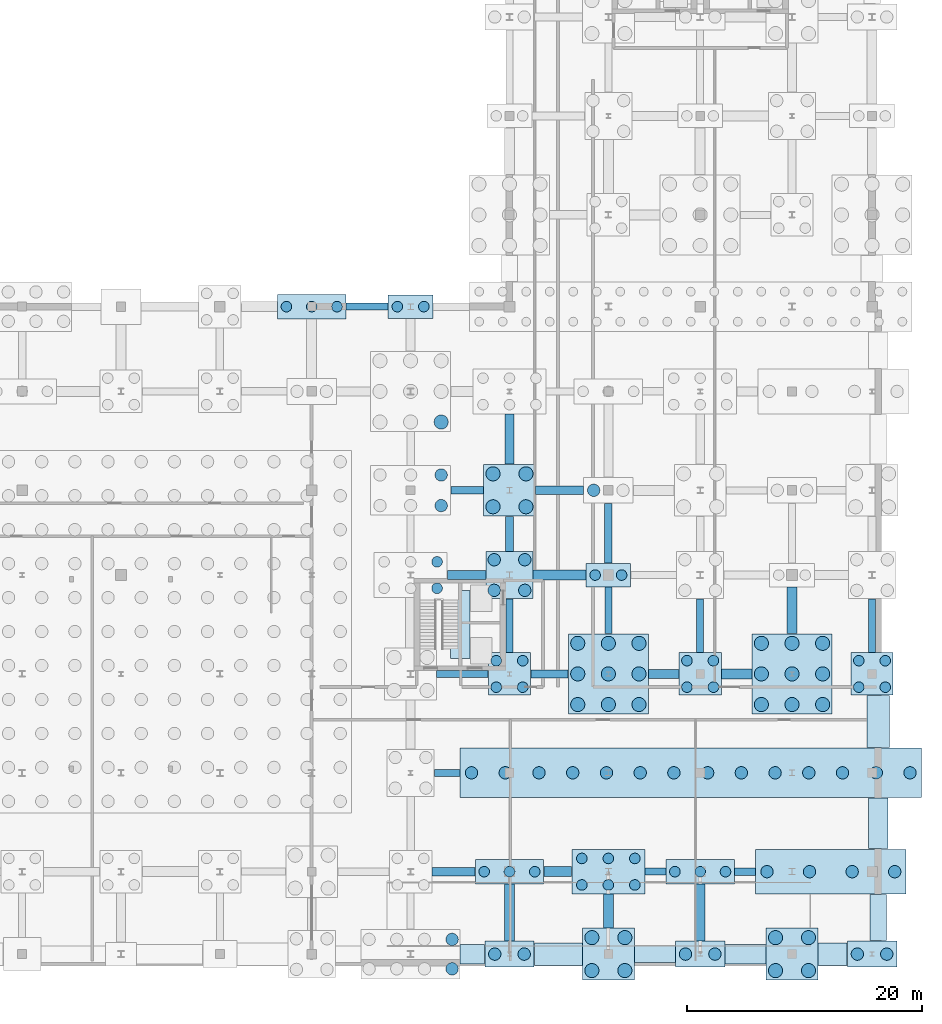
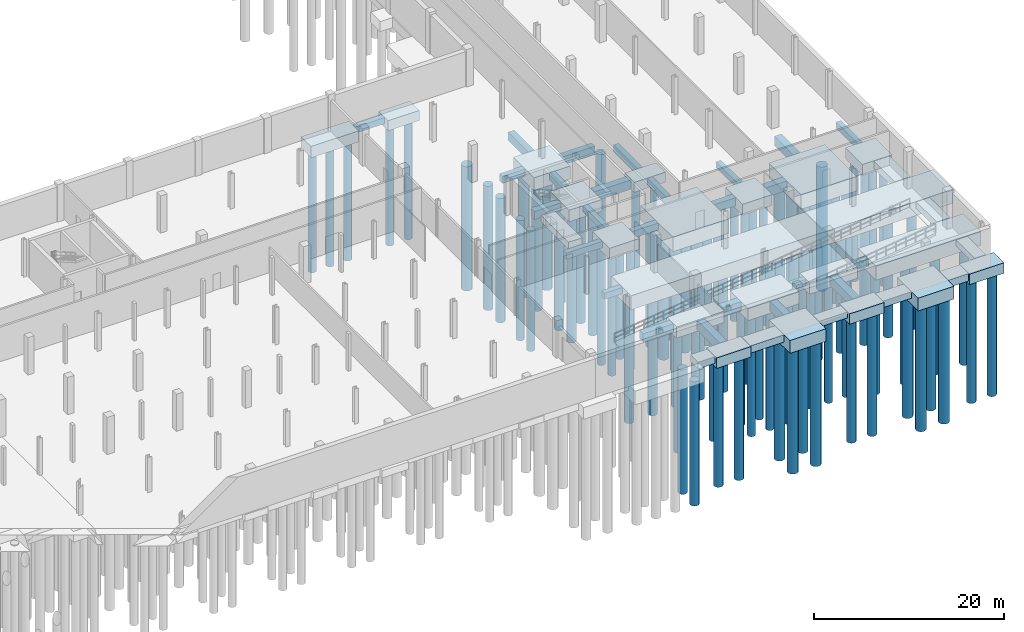
# One storey, part 6 of 32: 97 piles, 54 footings.
"""IFC4 building model written with IfcOpenShell, lengths in metres."""

from ifc_helpers import new_model, si_unit, direction, frame, origin_with_axes, origin_2d_with_axis, place, context, subcontext, project, spatial, rectangle, circle, extrude, material, material_profile, profile_set, type_object, element, save


model = new_model("IFC4")

# Units and contexts
model_context = context("Model", 3, precision=1e-05, world=origin_with_axes(), true_north=direction((0.0, 1.0)))
body_context = subcontext(model_context, "Body", "Model", "MODEL_VIEW")
ifc_project = project(units=[si_unit("LENGTHUNIT", "METRE"), si_unit("AREAUNIT", "SQUARE_METRE"), si_unit("VOLUMEUNIT", "CUBIC_METRE"), si_unit("PLANEANGLEUNIT", "RADIAN"), si_unit("MASSUNIT", "GRAM", prefix="KILO"), si_unit("THERMODYNAMICTEMPERATUREUNIT", "KELVIN")], contexts=[model_context])

# Site, building, storey
site_placement = place(None, origin_with_axes())
site = spatial("IfcSite", under=ifc_project, at=site_placement, CompositionType="ELEMENT")
building_placement = place(site_placement, origin_with_axes())
building = spatial("IfcBuilding", under=site, at=building_placement, Name="Montbau Bow Law Courts", CompositionType="ELEMENT")
storey_placement = place(building_placement, frame((0.0, 0.0, -4.8), z_axis=(0.0, 0.0, 1.0), x_axis=(1.0, 0.0, 0.0)))
storey = spatial("IfcBuildingStorey", under=building, at=storey_placement, Name="B1", CompositionType="ELEMENT", Elevation=-4.8)

# Footings
ifc_material_1 = material(Name="Concrete CSA A23.1 f'c 35 MPa", Category="concrete")
footing_type_1 = type_object("IfcFootingType", Name="FB-01", PredefinedType="FOOTING_BEAM", material=ifc_material_1)
footing_1_placement = place(None, frame((158.6, 13.8, -6.25), z_axis=(0.0, 0.0, 1.0), x_axis=(1.0, 0.0, 0.0)))
element("IfcFooting", 1, at=footing_1_placement, inside=storey, type_object=footing_type_1, Name="FB-017:fbm2_0035", PredefinedType="FOOTING_BEAM", context=body_context, shape_type="SweptSolid", body=[
    extrude(rectangle(XDim=1.77, YDim=0.65, at=origin_2d_with_axis()), origin_with_axes(), (0.0, 0.0, 1.0), 0.9),
])
footing_2_placement = place(None, frame((142.0, 30.6, -6.25), z_axis=(0.0, 0.0, 1.0), x_axis=(1.0, 0.0, 0.0)))
element("IfcFooting", 2, at=footing_2_placement, inside=storey, type_object=footing_type_1, Name="FB-025:fbm2_0043", PredefinedType="FOOTING_BEAM", context=body_context, shape_type="SweptSolid", body=[
    extrude(rectangle(XDim=3.17, YDim=0.65, at=origin_2d_with_axis()), origin_with_axes(), (0.0, 0.0, 1.0), 0.9),
])
footing_3_placement = place(None, frame((135.0, 46.2, -6.25), z_axis=(0.0, 0.0, 1.0), x_axis=(1.0, 0.0, 0.0)))
element("IfcFooting", 3, at=footing_3_placement, inside=storey, type_object=footing_type_1, Name="FB-037:fbm2_0055", PredefinedType="FOOTING_BEAM", context=body_context, shape_type="SweptSolid", body=[
    extrude(rectangle(XDim=2.77, YDim=0.65, at=origin_2d_with_axis()), origin_with_axes(), (0.0, 0.0, 1.0), 0.9),
])
footing_4_placement = place(None, frame((138.6, 42.5, -6.25), z_axis=(0.0, 0.0, 1.0), x_axis=(0.0, 1.0, 0.0)))
element("IfcFooting", 4, at=footing_4_placement, inside=storey, type_object=footing_type_1, Name="FB-141:fbm2_0159", PredefinedType="FOOTING_BEAM", context=body_context, shape_type="SweptSolid", body=[
    extrude(rectangle(XDim=2.97, YDim=0.65, at=origin_2d_with_axis()), origin_with_axes(), (0.0, 0.0, 1.0), 0.9),
])
footing_5_placement = place(None, frame((147.0, 42.55, -6.25), z_axis=(0.0, 0.0, 1.0), x_axis=(0.0, 1.0, 0.0)))
element("IfcFooting", 5, at=footing_5_placement, inside=storey, type_object=footing_type_1, Name="FB-149:fbm2_0167", PredefinedType="FOOTING_BEAM", context=body_context, shape_type="SweptSolid", body=[
    extrude(rectangle(XDim=5.07, YDim=0.65, at=origin_2d_with_axis()), origin_with_axes(), (0.0, 0.0, 1.0), 0.9),
])
footing_type_2 = type_object("IfcFootingType", Name="FB-02", PredefinedType="FOOTING_BEAM", material=ifc_material_1)
footing_6_placement = place(None, frame((133.85, 13.8, -6.4), z_axis=(0.0, 0.0, 1.0), x_axis=(1.0, 0.0, 0.0)))
element("IfcFooting", 6, at=footing_6_placement, inside=storey, type_object=footing_type_2, Name="FB-014:fbm2_0032", PredefinedType="FOOTING_BEAM", context=body_context, shape_type="SweptSolid", body=[
    extrude(rectangle(XDim=3.67, YDim=0.75, at=origin_2d_with_axis()), origin_with_axes(), (0.0, 0.0, 1.0), 1.05),
])
footing_7_placement = place(None, frame((151.7, 30.6, -6.4), z_axis=(0.0, 0.0, 1.0), x_axis=(1.0, 0.0, 0.0)))
element("IfcFooting", 7, at=footing_7_placement, inside=storey, type_object=footing_type_2, Name="FB-026:fbm2_0044", PredefinedType="FOOTING_BEAM", context=body_context, shape_type="SweptSolid", body=[
    extrude(rectangle(XDim=2.57, YDim=0.75, at=origin_2d_with_axis()), origin_with_axes(), (0.0, 0.0, 1.0), 1.05),
])
footing_8_placement = place(None, frame((134.95, 39.0, -6.4), z_axis=(0.0, 0.0, 1.0), x_axis=(1.0, 0.0, 0.0)))
element("IfcFooting", 8, at=footing_8_placement, inside=storey, type_object=footing_type_2, Name="FB-030:fbm2_0048", PredefinedType="FOOTING_BEAM", context=body_context, shape_type="SweptSolid", body=[
    extrude(rectangle(XDim=3.27, YDim=0.75, at=origin_2d_with_axis()), origin_with_axes(), (0.0, 0.0, 1.0), 1.05),
])
footing_9_placement = place(None, frame((142.85, 46.2, -6.4), z_axis=(0.0, 0.0, 1.0), x_axis=(1.0, 0.0, 0.0)))
element("IfcFooting", 9, at=footing_9_placement, inside=storey, type_object=footing_type_2, Name="FB-038:fbm2_0056", PredefinedType="FOOTING_BEAM", context=body_context, shape_type="SweptSolid", body=[
    extrude(rectangle(XDim=4.07, YDim=0.75, at=origin_2d_with_axis()), origin_with_axes(), (0.0, 0.0, 1.0), 1.05),
])
footing_10_placement = place(None, frame((138.6, 50.55, -6.4), z_axis=(0.0, 0.0, 1.0), x_axis=(0.0, 1.0, 0.0)))
element("IfcFooting", 10, at=footing_10_placement, inside=storey, type_object=footing_type_2, Name="FB-142:fbm2_0160", PredefinedType="FOOTING_BEAM", context=body_context, shape_type="SweptSolid", body=[
    extrude(rectangle(XDim=4.27, YDim=0.75, at=origin_2d_with_axis()), origin_with_axes(), (0.0, 0.0, 1.0), 1.05),
])
footing_type_3 = type_object("IfcFootingType", Name="FB-03", PredefinedType="FOOTING_BEAM", material=ifc_material_1)
footing_11_placement = place(None, frame((142.7, 13.8, -6.55), z_axis=(0.0, 0.0, 1.0), x_axis=(1.0, 0.0, 0.0)))
element("IfcFooting", 11, at=footing_11_placement, inside=storey, type_object=footing_type_3, Name="FB-015:fbm2_0033", PredefinedType="FOOTING_BEAM", context=body_context, shape_type="SweptSolid", body=[
    extrude(rectangle(XDim=2.37, YDim=0.85, at=origin_2d_with_axis()), origin_with_axes(), (0.0, 0.0, 1.0), 1.2),
])
footing_12_placement = place(None, frame((157.9, 30.6, -6.55), z_axis=(0.0, 0.0, 1.0), x_axis=(1.0, 0.0, 0.0)))
element("IfcFooting", 12, at=footing_12_placement, inside=storey, type_object=footing_type_3, Name="FB-027:fbm2_0045", PredefinedType="FOOTING_BEAM", context=body_context, shape_type="SweptSolid", body=[
    extrude(rectangle(XDim=2.57, YDim=0.85, at=origin_2d_with_axis()), origin_with_axes(), (0.0, 0.0, 1.0), 1.2),
])
footing_13_placement = place(None, frame((142.85, 39.0, -6.55), z_axis=(0.0, 0.0, 1.0), x_axis=(1.0, 0.0, 0.0)))
element("IfcFooting", 13, at=footing_13_placement, inside=storey, type_object=footing_type_3, Name="FB-031:fbm2_0049", PredefinedType="FOOTING_BEAM", context=body_context, shape_type="SweptSolid", body=[
    extrude(rectangle(XDim=4.47, YDim=0.85, at=origin_2d_with_axis()), origin_with_axes(), (0.0, 0.0, 1.0), 1.2),
])
footing_14_placement = place(None, frame((138.6, 10.325, -6.55), z_axis=(0.0, 0.0, 1.0), x_axis=(0.0, 1.0, 0.0)))
element("IfcFooting", 14, at=footing_14_placement, inside=storey, type_object=footing_type_3, Name="FB-139:fbm2_0157", PredefinedType="FOOTING_BEAM", context=body_context, shape_type="SweptSolid", body=[
    extrude(rectangle(XDim=4.82, YDim=0.85, at=origin_2d_with_axis()), origin_with_axes(), (0.0, 0.0, 1.0), 1.2),
])
footing_15_placement = place(None, frame((147.0, 10.45, -6.55), z_axis=(0.0, 0.0, 1.0), x_axis=(0.0, 1.0, 0.0)))
element("IfcFooting", 15, at=footing_15_placement, inside=storey, type_object=footing_type_3, Name="FB-147:fbm2_0165", PredefinedType="FOOTING_BEAM", context=body_context, shape_type="SweptSolid", body=[
    extrude(rectangle(XDim=2.87, YDim=0.85, at=origin_2d_with_axis()), origin_with_axes(), (0.0, 0.0, 1.0), 1.2),
])
footing_16_placement = place(None, frame((154.8, 10.325, -6.55), z_axis=(0.0, 0.0, 1.0), x_axis=(0.0, 1.0, 0.0)))
element("IfcFooting", 16, at=footing_16_placement, inside=storey, type_object=footing_type_3, Name="FB-155:fbm2_0173", PredefinedType="FOOTING_BEAM", context=body_context, shape_type="SweptSolid", body=[
    extrude(rectangle(XDim=4.82, YDim=0.85, at=origin_2d_with_axis()), origin_with_axes(), (0.0, 0.0, 1.0), 1.2),
])
footing_17_placement = place(None, frame((162.6, 36.0, -6.55), z_axis=(0.0, 0.0, 1.0), x_axis=(0.0, 1.0, 0.0)))
element("IfcFooting", 17, at=footing_17_placement, inside=storey, type_object=footing_type_3, Name="FB-163:fbm2_0181", PredefinedType="FOOTING_BEAM", context=body_context, shape_type="SweptSolid", body=[
    extrude(rectangle(XDim=3.97, YDim=0.85, at=origin_2d_with_axis()), origin_with_axes(), (0.0, 0.0, 1.0), 1.2),
])
footing_type_4 = type_object("IfcFootingType", Name="FB-04", PredefinedType="FOOTING_BEAM", material=ifc_material_1)
footing_18_placement = place(None, frame((151.0, 13.8, -6.15), z_axis=(0.0, 0.0, 1.0), x_axis=(1.0, 0.0, 0.0)))
element("IfcFooting", 18, at=footing_18_placement, inside=storey, type_object=footing_type_4, Name="FB-016:fbm2_0034", PredefinedType="FOOTING_BEAM", context=body_context, shape_type="SweptSolid", body=[
    extrude(rectangle(XDim=1.77, YDim=0.6, at=origin_2d_with_axis()), origin_with_axes(), (0.0, 0.0, 1.0), 0.8),
])
footing_19_placement = place(None, frame((133.3, 22.2, -6.15), z_axis=(0.0, 0.0, 1.0), x_axis=(1.0, 0.0, 0.0)))
element("IfcFooting", 19, at=footing_19_placement, inside=storey, type_object=footing_type_4, Name="FB-020:fbm2_0038", PredefinedType="FOOTING_BEAM", context=body_context, shape_type="SweptSolid", body=[
    extrude(rectangle(XDim=2.17, YDim=0.6, at=origin_2d_with_axis()), origin_with_axes(), (0.0, 0.0, 1.0), 0.8),
])
footing_20_placement = place(None, frame((134.6, 30.6, -6.15), z_axis=(0.0, 0.0, 1.0), x_axis=(1.0, 0.0, 0.0)))
element("IfcFooting", 20, at=footing_20_placement, inside=storey, type_object=footing_type_4, Name="FB-024:fbm2_0042", PredefinedType="FOOTING_BEAM", context=body_context, shape_type="SweptSolid", body=[
    extrude(rectangle(XDim=4.37, YDim=0.6, at=origin_2d_with_axis()), origin_with_axes(), (0.0, 0.0, 1.0), 0.8),
])
footing_21_placement = place(None, frame((126.5, 61.8, -6.15), z_axis=(0.0, 0.0, 1.0), x_axis=(1.0, 0.0, 0.0)))
element("IfcFooting", 21, at=footing_21_placement, inside=storey, type_object=footing_type_4, Name="FB-072:fbm2_0090", PredefinedType="FOOTING_BEAM", context=body_context, shape_type="SweptSolid", body=[
    extrude(rectangle(XDim=3.57, YDim=0.6, at=origin_2d_with_axis()), origin_with_axes(), (0.0, 0.0, 1.0), 0.8),
])
footing_22_placement = place(None, frame((138.6, 34.7, -6.15), z_axis=(0.0, 0.0, 1.0), x_axis=(0.0, 1.0, 0.0)))
element("IfcFooting", 22, at=footing_22_placement, inside=storey, type_object=footing_type_4, Name="FB-140:fbm2_0158", PredefinedType="FOOTING_BEAM", context=body_context, shape_type="SweptSolid", body=[
    extrude(rectangle(XDim=4.57, YDim=0.6, at=origin_2d_with_axis()), origin_with_axes(), (0.0, 0.0, 1.0), 0.8),
])
footing_23_placement = place(None, frame((147.0, 36.0, -6.15), z_axis=(0.0, 0.0, 1.0), x_axis=(0.0, 1.0, 0.0)))
element("IfcFooting", 23, at=footing_23_placement, inside=storey, type_object=footing_type_4, Name="FB-148:fbm2_0166", PredefinedType="FOOTING_BEAM", context=body_context, shape_type="SweptSolid", body=[
    extrude(rectangle(XDim=3.97, YDim=0.6, at=origin_2d_with_axis()), origin_with_axes(), (0.0, 0.0, 1.0), 0.8),
])
for number, where, z_axis, x_axis, name in (
    (24, (154.8, 34.7, -6.15), (0.0, 0.0, 1.0), (0.0, 1.0, 0.0), "FB-156:fbm2_0174"),
    (25, (169.4, 34.7, -6.15), (0.0, 0.0, 1.0), (0.0, 1.0, 0.0), "FB-168:fbm2_0186"),
):
    element("IfcFooting", number, at=place(None, frame(where, z_axis=z_axis, x_axis=x_axis)), inside=storey, type_object=footing_type_4, Name=name, PredefinedType="FOOTING_BEAM", context=body_context, shape_type="SweptSolid", body=[
        extrude(rectangle(XDim=4.57, YDim=0.6, at=origin_2d_with_axis()), origin_with_axes(), (0.0, 0.0, 1.0), 0.8),
    ])
footing_type_5 = type_object("IfcFootingType", Name="FC-01", PredefinedType="PILE_CAP", material=ifc_material_1)
for number, where, z_axis, x_axis, name in (
    (26, (138.6, 30.6, -6.75), (0.0, 0.0, 1.0), (1.0, 0.0, 0.0), "FCA-059:ftg2_0059"),
    (27, (154.8, 30.6, -6.75), (0.0, 0.0, 1.0), (1.0, 0.0, 0.0), "FCA-085:ftg2_0085"),
    (28, (169.4, 30.6, -6.75), (0.0, 0.0, 1.0), (1.0, 0.0, 0.0), "FCA-108:ftg2_0108"),
):
    element("IfcFooting", number, at=place(None, frame(where, z_axis=z_axis, x_axis=x_axis)), inside=storey, type_object=footing_type_5, Name=name, PredefinedType="PILE_CAP", context=body_context, shape_type="SweptSolid", body=[
        extrude(rectangle(XDim=3.6, YDim=3.6, at=origin_2d_with_axis()), origin_with_axes(), (0.0, 0.0, 1.0), 1.4),
    ])
footing_type_6 = type_object("IfcFootingType", Name="FC-02", PredefinedType="PILE_CAP", material=ifc_material_1)
footing_24_placement = place(None, frame((138.6, 39.0, -6.85), z_axis=(0.0, 0.0, 1.0), x_axis=(1.0, 0.0, 0.0)))
element("IfcFooting", 29, at=footing_24_placement, inside=storey, type_object=footing_type_6, Name="FCA-060:ftg2_0060", PredefinedType="PILE_CAP", context=body_context, shape_type="SweptSolid", body=[
    extrude(rectangle(XDim=4.0, YDim=4.0, at=origin_2d_with_axis()), origin_with_axes(), (0.0, 0.0, 1.0), 1.5),
])
footing_type_7 = type_object("IfcFootingType", Name="FC-03", PredefinedType="PILE_CAP", material=ifc_material_1)
for number, where, z_axis, x_axis, name in (
    (30, (138.6, 46.2, -7.0), (0.0, 0.0, 1.0), (1.0, 0.0, 0.0), "FCA-061:ftg2_0061"),
    (31, (147.0, 6.8, -7.0), (0.0, 0.0, 1.0), (1.0, 0.0, 0.0), "FCA-071:ftg2_0071"),
    (32, (162.6, 6.8, -7.0), (0.0, 0.0, 1.0), (1.0, 0.0, 0.0), "FCA-095:ftg2_0095"),
):
    element("IfcFooting", number, at=place(None, frame(where, z_axis=z_axis, x_axis=x_axis)), inside=storey, type_object=footing_type_7, Name=name, PredefinedType="PILE_CAP", context=body_context, shape_type="SweptSolid", body=[
        extrude(rectangle(XDim=4.4, YDim=4.4, at=origin_2d_with_axis()), origin_with_axes(), (0.0, 0.0, 1.0), 1.65),
    ])
footing_type_8 = type_object("IfcFootingType", Name="FC-04", PredefinedType="PILE_CAP", material=ifc_material_1)
footing_25_placement = place(None, frame((147.0, 13.8, -6.9), z_axis=(0.0, 0.0, 1.0), x_axis=(1.0, 0.0, 0.0)))
element("IfcFooting", 33, at=footing_25_placement, inside=storey, type_object=footing_type_8, Name="FCA-072:ftg2_0072", PredefinedType="PILE_CAP", context=body_context, shape_type="SweptSolid", body=[
    extrude(rectangle(XDim=6.2, YDim=3.8, at=origin_2d_with_axis()), origin_with_axes(), (0.0, 0.0, 1.0), 1.55),
])
footing_type_9 = type_object("IfcFootingType", Name="FC-06", PredefinedType="PILE_CAP", material=ifc_material_1)
for number, where, z_axis, x_axis, name in (
    (34, (147.0, 30.6, -7.2), (0.0, 0.0, 1.0), (1.0, 0.0, 0.0), "FCA-073:ftg2_0073"),
    (35, (162.6, 30.6, -7.2), (0.0, 0.0, 1.0), (1.0, 0.0, 0.0), "FCA-097:ftg2_0097"),
):
    element("IfcFooting", number, at=place(None, frame(where, z_axis=z_axis, x_axis=x_axis)), inside=storey, type_object=footing_type_9, Name=name, PredefinedType="PILE_CAP", context=body_context, shape_type="SweptSolid", body=[
        extrude(rectangle(XDim=6.8, YDim=6.8, at=origin_2d_with_axis()), origin_with_axes(), (0.0, 0.0, 1.0), 1.85),
    ])
footing_type_10 = type_object("IfcFootingType", Name="FC-07", PredefinedType="PILE_CAP", material=ifc_material_1)
for number, where, z_axis, x_axis, name in (
    (36, (130.2, 61.8, -6.65), (0.0, 0.0, 1.0), (1.0, 0.0, 0.0), "FCA-055:ftg2_0055"),
    (37, (147.0, 39.0, -6.65), (0.0, 0.0, 1.0), (1.0, 0.0, 0.0), "FCA-074:ftg2_0074"),
):
    element("IfcFooting", number, at=place(None, frame(where, z_axis=z_axis, x_axis=x_axis)), inside=storey, type_object=footing_type_10, Name=name, PredefinedType="PILE_CAP", context=body_context, shape_type="SweptSolid", body=[
        extrude(rectangle(XDim=3.8, YDim=2.0, at=origin_2d_with_axis()), origin_with_axes(), (0.0, 0.0, 1.0), 1.3),
    ])
footing_type_11 = type_object("IfcFootingType", Name="FC-08", PredefinedType="PILE_CAP", material=ifc_material_1)
for number, where, z_axis, x_axis, name in (
    (38, (138.6, 6.8, -6.7), (0.0, 0.0, 1.0), (1.0, 0.0, 0.0), "FCA-056:ftg2_0056"),
    (39, (154.8, 6.8, -6.7), (0.0, 0.0, 1.0), (1.0, 0.0, 0.0), "FCA-083:ftg2_0083"),
    (40, (169.4, 6.8, -6.7), (0.0, 0.0, 1.0), (1.0, 0.0, 0.0), "FCA-107:ftg2_0107"),
):
    element("IfcFooting", number, at=place(None, frame(where, z_axis=z_axis, x_axis=x_axis)), inside=storey, type_object=footing_type_11, Name=name, PredefinedType="PILE_CAP", context=body_context, shape_type="SweptSolid", body=[
        extrude(rectangle(XDim=4.2, YDim=2.2, at=origin_2d_with_axis()), origin_with_axes(), (0.0, 0.0, 1.0), 1.35),
    ])
footing_type_12 = type_object("IfcFootingType", Name="FC-09", PredefinedType="PILE_CAP", material=ifc_material_1)
for number, where, z_axis, x_axis, name in (
    (41, (121.8, 61.8, -6.8), (0.0, 0.0, 1.0), (1.0, 0.0, 0.0), "FCA-047:ftg2_0047"),
    (42, (138.6, 13.8, -6.8), (0.0, 0.0, 1.0), (1.0, 0.0, 0.0), "FCA-057:ftg2_0057"),
    (43, (154.8, 13.8, -6.8), (0.0, 0.0, 1.0), (1.0, 0.0, 0.0), "FCA-084:ftg2_0084"),
):
    element("IfcFooting", number, at=place(None, frame(where, z_axis=z_axis, x_axis=x_axis)), inside=storey, type_object=footing_type_12, Name=name, PredefinedType="PILE_CAP", context=body_context, shape_type="SweptSolid", body=[
        extrude(rectangle(XDim=5.8, YDim=2.1, at=origin_2d_with_axis()), origin_with_axes(), (0.0, 0.0, 1.0), 1.45),
    ])
footing_type_13 = type_object("IfcFootingType", Name="FC-CMB", PredefinedType="PILE_CAP", material=ifc_material_1)
footing_26_placement = place(None, frame((154.0, 22.2, -7.15), z_axis=(0.0, 0.0, 1.0), x_axis=(1.0, 0.0, 0.0)))
element("IfcFooting", 44, at=footing_26_placement, inside=storey, type_object=footing_type_13, Name="FCA-058:ftg2_0058", PredefinedType="PILE_CAP", context=body_context, shape_type="SweptSolid", body=[
    extrude(rectangle(XDim=39.2, YDim=4.2, at=origin_2d_with_axis()), origin_with_axes(), (0.0, 0.0, 1.0), 1.8),
])
footing_27_placement = place(None, frame((165.9, 13.8, -7.15), z_axis=(0.0, 0.0, 1.0), x_axis=(1.0, 0.0, 0.0)))
element("IfcFooting", 45, at=footing_27_placement, inside=storey, type_object=footing_type_13, Name="FCA-096:ftg2_0096", PredefinedType="PILE_CAP", context=body_context, shape_type="SweptSolid", body=[
    extrude(rectangle(XDim=12.8, YDim=3.8, at=origin_2d_with_axis()), origin_with_axes(), (0.0, 0.0, 1.0), 1.8),
])

# Piles
ifc_material_2 = material(Name="Concrete CSA A23.1 f'c 40 MPa", Category="concrete")
ifc_material_profile_1 = material_profile(ifc_material_2, circle(Radius=0.45, at=origin_2d_with_axis()), Name="BP900", Category="Main", Priority=0)
ifc_profile_set_1 = profile_set([ifc_material_profile_1], Name="Concrete CSA A23.1 f'c 40 MPa")
pile_type_1 = type_object("IfcPileType", Name="P-0900", PredefinedType="BORED", material=ifc_profile_set_1)
for number, where, z_axis, x_axis, name in (
    (46, (119.65, 61.8, -22.2), (0.0, 0.0, 1.0), (1.0, 0.0, 0.0), "FCA-047-P01:pil_f2_0185"),
    (47, (121.8, 61.8, -22.2), (0.0, 0.0, 1.0), (1.0, 0.0, 0.0), "FCA-047-P02:pil_f2_0186"),
    (48, (123.95, 61.8, -22.2), (0.0, 0.0, 1.0), (1.0, 0.0, 0.0), "FCA-047-P03:pil_f2_0187"),
    (49, (132.45, 37.875, -22.3), (0.0, 0.0, 1.0), (1.0, 0.0, 0.0), "FCA-052-P05:pil_f2_0212"),
    (50, (132.45, 40.125, -22.3), (0.0, 0.0, 1.0), (1.0, 0.0, 0.0), "FCA-052-P06:pil_f2_0213"),
    (51, (129.075, 61.8, -22.05), (0.0, 0.0, 1.0), (1.0, 0.0, 0.0), "FCA-055-P01:pil_f2_0229"),
    (52, (131.325, 61.8, -22.05), (0.0, 0.0, 1.0), (1.0, 0.0, 0.0), "FCA-055-P02:pil_f2_0230"),
    (53, (136.45, 13.8, -22.2), (0.0, 0.0, 1.0), (1.0, 0.0, 0.0), "FCA-057-P01:pil_f2_0233"),
    (54, (138.6, 13.8, -22.2), (0.0, 0.0, 1.0), (1.0, 0.0, 0.0), "FCA-057-P02:pil_f2_0234"),
    (55, (140.75, 13.8, -22.2), (0.0, 0.0, 1.0), (1.0, 0.0, 0.0), "FCA-057-P03:pil_f2_0235"),
    (56, (137.475, 29.475, -22.15), (0.0, 0.0, 1.0), (1.0, 0.0, 0.0), "FCA-059-P01:pil_f2_0236"),
    (57, (137.475, 31.725, -22.15), (0.0, 0.0, 1.0), (1.0, 0.0, 0.0), "FCA-059-P02:pil_f2_0237"),
    (58, (139.725, 29.475, -22.15), (0.0, 0.0, 1.0), (1.0, 0.0, 0.0), "FCA-059-P03:pil_f2_0238"),
    (59, (139.725, 31.725, -22.15), (0.0, 0.0, 1.0), (1.0, 0.0, 0.0), "FCA-059-P04:pil_f2_0239"),
    (60, (144.75, 12.675, -22.3), (0.0, 0.0, 1.0), (1.0, 0.0, 0.0), "FCA-072-P01:pil_f2_0282"),
    (61, (144.75, 14.925, -22.3), (0.0, 0.0, 1.0), (1.0, 0.0, 0.0), "FCA-072-P02:pil_f2_0283"),
    (62, (147.0, 12.675, -22.3), (0.0, 0.0, 1.0), (1.0, 0.0, 0.0), "FCA-072-P03:pil_f2_0284"),
    (63, (147.0, 14.925, -22.3), (0.0, 0.0, 1.0), (1.0, 0.0, 0.0), "FCA-072-P04:pil_f2_0285"),
    (64, (149.25, 12.675, -22.3), (0.0, 0.0, 1.0), (1.0, 0.0, 0.0), "FCA-072-P05:pil_f2_0286"),
    (65, (149.25, 14.925, -22.3), (0.0, 0.0, 1.0), (1.0, 0.0, 0.0), "FCA-072-P06:pil_f2_0287"),
    (66, (145.875, 39.0, -22.05), (0.0, 0.0, 1.0), (1.0, 0.0, 0.0), "FCA-074-P01:pil_f2_0297"),
    (67, (148.125, 39.0, -22.05), (0.0, 0.0, 1.0), (1.0, 0.0, 0.0), "FCA-074-P02:pil_f2_0298"),
    (68, (152.65, 13.8, -22.2), (0.0, 0.0, 1.0), (1.0, 0.0, 0.0), "FCA-084-P01:pil_f2_0335"),
    (69, (154.8, 13.8, -22.2), (0.0, 0.0, 1.0), (1.0, 0.0, 0.0), "FCA-084-P02:pil_f2_0336"),
    (70, (156.95, 13.8, -22.2), (0.0, 0.0, 1.0), (1.0, 0.0, 0.0), "FCA-084-P03:pil_f2_0337"),
    (71, (153.675, 29.475, -22.15), (0.0, 0.0, 1.0), (1.0, 0.0, 0.0), "FCA-085-P01:pil_f2_0338"),
    (72, (153.675, 31.725, -22.15), (0.0, 0.0, 1.0), (1.0, 0.0, 0.0), "FCA-085-P02:pil_f2_0339"),
    (73, (155.925, 29.475, -22.15), (0.0, 0.0, 1.0), (1.0, 0.0, 0.0), "FCA-085-P03:pil_f2_0340"),
    (74, (155.925, 31.725, -22.15), (0.0, 0.0, 1.0), (1.0, 0.0, 0.0), "FCA-085-P04:pil_f2_0341"),
    (75, (168.275, 29.475, -22.15), (0.0, 0.0, 1.0), (1.0, 0.0, 0.0), "FCA-108-P01:pil_f2_0422"),
    (76, (168.275, 31.725, -22.15), (0.0, 0.0, 1.0), (1.0, 0.0, 0.0), "FCA-108-P02:pil_f2_0423"),
    (77, (170.525, 29.475, -22.15), (0.0, 0.0, 1.0), (1.0, 0.0, 0.0), "FCA-108-P03:pil_f2_0424"),
    (78, (170.525, 31.725, -22.15), (0.0, 0.0, 1.0), (1.0, 0.0, 0.0), "FCA-108-P04:pil_f2_0425"),
):
    element("IfcPile", number, at=place(None, frame(where, z_axis=z_axis, x_axis=x_axis)), inside=storey, type_object=pile_type_1, Name=name, ConstructionType="CAST_IN_PLACE", PredefinedType="BORED", context=body_context, shape_type="SweptSolid", body=[
        extrude(circle(Radius=0.45, at=origin_2d_with_axis()), origin_with_axes(), (0.0, 0.0, 1.0), 15.5),
    ])
ifc_material_profile_2 = material_profile(ifc_material_2, circle(Radius=0.525, at=origin_2d_with_axis()), Name="BP1050", Category="Main", Priority=0)
ifc_profile_set_2 = profile_set([ifc_material_profile_2], Name="Concrete CSA A23.1 f'c 40 MPa")
pile_type_2 = type_object("IfcPileType", Name="P-1050", PredefinedType="BORED", material=ifc_profile_set_2)
for number, where, z_axis, x_axis, name in (
    (79, (135.375, 22.2, -23.05), (0.0, 0.0, 1.0), (1.0, 0.0, 0.0), "FCA-058-P01:pil_e2_0413"),
    (80, (138.24, 22.2, -23.05), (0.0, 0.0, 1.0), (1.0, 0.0, 0.0), "FCA-058-P02:pil_e2_0414"),
    (81, (141.106, 22.2, -23.05), (0.0, 0.0, 1.0), (1.0, 0.0, 0.0), "FCA-058-P03:pil_e2_0415"),
    (82, (143.971, 22.2, -23.05), (0.0, 0.0, 1.0), (1.0, 0.0, 0.0), "FCA-058-P04:pil_e2_0416"),
    (83, (146.837, 22.2, -23.05), (0.0, 0.0, 1.0), (1.0, 0.0, 0.0), "FCA-058-P05:pil_e2_0417"),
    (84, (149.702, 22.2, -23.05), (0.0, 0.0, 1.0), (1.0, 0.0, 0.0), "FCA-058-P06:pil_e2_0418"),
    (85, (152.567, 22.2, -23.05), (0.0, 0.0, 1.0), (1.0, 0.0, 0.0), "FCA-058-P07:pil_e2_0419"),
    (86, (155.433, 22.2, -23.05), (0.0, 0.0, 1.0), (1.0, 0.0, 0.0), "FCA-058-P08:pil_e2_0420"),
    (87, (158.298, 22.2, -23.05), (0.0, 0.0, 1.0), (1.0, 0.0, 0.0), "FCA-058-P09:pil_e2_0421"),
    (88, (161.163, 22.2, -23.05), (0.0, 0.0, 1.0), (1.0, 0.0, 0.0), "FCA-058-P10:pil_e2_0422"),
    (89, (164.029, 22.2, -23.05), (0.0, 0.0, 1.0), (1.0, 0.0, 0.0), "FCA-058-P11:pil_e2_0423"),
    (90, (166.894, 22.2, -23.05), (0.0, 0.0, 1.0), (1.0, 0.0, 0.0), "FCA-058-P12:pil_e2_0424"),
    (91, (169.76, 22.2, -23.05), (0.0, 0.0, 1.0), (1.0, 0.0, 0.0), "FCA-058-P13:pil_e2_0425"),
    (92, (172.625, 22.2, -23.05), (0.0, 0.0, 1.0), (1.0, 0.0, 0.0), "FCA-058-P14:pil_e2_0426"),
    (93, (160.475, 13.8, -23.05), (0.0, 0.0, 1.0), (1.0, 0.0, 0.0), "FCA-096-P01:pil_e2_0479"),
    (94, (164.092, 13.8, -23.05), (0.0, 0.0, 1.0), (1.0, 0.0, 0.0), "FCA-096-P02:pil_e2_0480"),
    (95, (167.708, 13.8, -23.05), (0.0, 0.0, 1.0), (1.0, 0.0, 0.0), "FCA-096-P03:pil_e2_0481"),
    (96, (171.325, 13.8, -23.05), (0.0, 0.0, 1.0), (1.0, 0.0, 0.0), "FCA-096-P04:pil_e2_0482"),
    (97, (133.725, 5.55, -23.0), (0.0, 0.0, 1.0), (1.0, 0.0, 0.0), "FCA-048-P07:pil_f2_0194"),
    (98, (133.725, 8.05, -23.0), (0.0, 0.0, 1.0), (1.0, 0.0, 0.0), "FCA-048-P08:pil_f2_0195"),
    (99, (132.8, 44.9, -22.95), (0.0, 0.0, 1.0), (1.0, 0.0, 0.0), "FCA-053-P05:pil_f2_0218"),
    (100, (132.8, 47.5, -22.95), (0.0, 0.0, 1.0), (1.0, 0.0, 0.0), "FCA-053-P06:pil_f2_0219"),
    (101, (137.35, 6.8, -22.6), (0.0, 0.0, 1.0), (1.0, 0.0, 0.0), "FCA-056-P01:pil_f2_0231"),
    (102, (139.85, 6.8, -22.6), (0.0, 0.0, 1.0), (1.0, 0.0, 0.0), "FCA-056-P02:pil_f2_0232"),
    (103, (137.3, 37.7, -22.75), (0.0, 0.0, 1.0), (1.0, 0.0, 0.0), "FCA-060-P01:pil_f2_0240"),
    (104, (137.3, 40.3, -22.75), (0.0, 0.0, 1.0), (1.0, 0.0, 0.0), "FCA-060-P02:pil_f2_0241"),
    (105, (139.9, 37.7, -22.75), (0.0, 0.0, 1.0), (1.0, 0.0, 0.0), "FCA-060-P03:pil_f2_0242"),
    (106, (139.9, 40.3, -22.75), (0.0, 0.0, 1.0), (1.0, 0.0, 0.0), "FCA-060-P04:pil_f2_0243"),
    (107, (145.75, 46.2, -22.6), (0.0, 0.0, 1.0), (1.0, 0.0, 0.0), "FCA-075-P01:pil_f2_0299"),
    (108, (153.55, 6.8, -22.6), (0.0, 0.0, 1.0), (1.0, 0.0, 0.0), "FCA-083-P01:pil_f2_0333"),
    (109, (156.05, 6.8, -22.6), (0.0, 0.0, 1.0), (1.0, 0.0, 0.0), "FCA-083-P02:pil_f2_0334"),
    (110, (168.15, 6.8, -22.6), (0.0, 0.0, 1.0), (1.0, 0.0, 0.0), "FCA-107-P01:pil_f2_0420"),
    (111, (170.65, 6.8, -22.6), (0.0, 0.0, 1.0), (1.0, 0.0, 0.0), "FCA-107-P02:pil_f2_0421"),
):
    element("IfcPile", number, at=place(None, frame(where, z_axis=z_axis, x_axis=x_axis)), inside=storey, type_object=pile_type_2, Name=name, ConstructionType="CAST_IN_PLACE", PredefinedType="BORED", context=body_context, shape_type="SweptSolid", body=[
        extrude(circle(Radius=0.525, at=origin_2d_with_axis()), origin_with_axes(), (0.0, 0.0, 1.0), 16.0),
    ])
ifc_material_profile_3 = material_profile(ifc_material_2, circle(Radius=0.6, at=origin_2d_with_axis()), Name="BP1200", Category="Main", Priority=0)
ifc_profile_set_3 = profile_set([ifc_material_profile_3], Name="Concrete CSA A23.1 f'c 40 MPa")
pile_type_3 = type_object("IfcPileType", Name="P-1200", PredefinedType="BORED", material=ifc_profile_set_3)
for number, where, z_axis, x_axis, name in (
    (112, (132.8, 52.0, -23.1), (0.0, 0.0, 1.0), (1.0, 0.0, 0.0), "FCA-054-P07:pil_f2_0226"),
    (113, (137.2, 44.8, -22.9), (0.0, 0.0, 1.0), (1.0, 0.0, 0.0), "FCA-061-P01:pil_f2_0244"),
    (114, (137.2, 47.6, -22.9), (0.0, 0.0, 1.0), (1.0, 0.0, 0.0), "FCA-061-P02:pil_f2_0245"),
    (115, (140.0, 44.8, -22.9), (0.0, 0.0, 1.0), (1.0, 0.0, 0.0), "FCA-061-P03:pil_f2_0246"),
    (116, (140.0, 47.6, -22.9), (0.0, 0.0, 1.0), (1.0, 0.0, 0.0), "FCA-061-P04:pil_f2_0247"),
    (117, (145.6, 5.4, -22.9), (0.0, 0.0, 1.0), (1.0, 0.0, 0.0), "FCA-071-P01:pil_f2_0278"),
    (118, (145.6, 8.2, -22.9), (0.0, 0.0, 1.0), (1.0, 0.0, 0.0), "FCA-071-P02:pil_f2_0279"),
    (119, (148.4, 5.4, -22.9), (0.0, 0.0, 1.0), (1.0, 0.0, 0.0), "FCA-071-P03:pil_f2_0280"),
    (120, (148.4, 8.2, -22.9), (0.0, 0.0, 1.0), (1.0, 0.0, 0.0), "FCA-071-P04:pil_f2_0281"),
    (121, (144.4, 28.0, -23.1), (0.0, 0.0, 1.0), (1.0, 0.0, 0.0), "FCA-073-P01:pil_f2_0288"),
    (122, (144.4, 30.6, -23.1), (0.0, 0.0, 1.0), (1.0, 0.0, 0.0), "FCA-073-P02:pil_f2_0289"),
    (123, (144.4, 33.2, -23.1), (0.0, 0.0, 1.0), (1.0, 0.0, 0.0), "FCA-073-P03:pil_f2_0290"),
    (124, (147.0, 28.0, -23.1), (0.0, 0.0, 1.0), (1.0, 0.0, 0.0), "FCA-073-P04:pil_f2_0291"),
    (125, (147.0, 30.6, -23.1), (0.0, 0.0, 1.0), (1.0, 0.0, 0.0), "FCA-073-P05:pil_f2_0292"),
    (126, (147.0, 33.2, -23.1), (0.0, 0.0, 1.0), (1.0, 0.0, 0.0), "FCA-073-P06:pil_f2_0293"),
    (127, (149.6, 28.0, -23.1), (0.0, 0.0, 1.0), (1.0, 0.0, 0.0), "FCA-073-P07:pil_f2_0294"),
    (128, (149.6, 30.6, -23.1), (0.0, 0.0, 1.0), (1.0, 0.0, 0.0), "FCA-073-P08:pil_f2_0295"),
    (129, (149.6, 33.2, -23.1), (0.0, 0.0, 1.0), (1.0, 0.0, 0.0), "FCA-073-P09:pil_f2_0296"),
    (130, (161.2, 5.4, -22.9), (0.0, 0.0, 1.0), (1.0, 0.0, 0.0), "FCA-095-P01:pil_f2_0380"),
    (131, (161.2, 8.2, -22.9), (0.0, 0.0, 1.0), (1.0, 0.0, 0.0), "FCA-095-P02:pil_f2_0381"),
    (132, (164.0, 5.4, -22.9), (0.0, 0.0, 1.0), (1.0, 0.0, 0.0), "FCA-095-P03:pil_f2_0382"),
    (133, (164.0, 8.2, -22.9), (0.0, 0.0, 1.0), (1.0, 0.0, 0.0), "FCA-095-P04:pil_f2_0383"),
    (134, (160.0, 28.0, -23.1), (0.0, 0.0, 1.0), (1.0, 0.0, 0.0), "FCA-097-P01:pil_f2_0384"),
    (135, (160.0, 30.6, -23.1), (0.0, 0.0, 1.0), (1.0, 0.0, 0.0), "FCA-097-P02:pil_f2_0385"),
    (136, (160.0, 33.2, -23.1), (0.0, 0.0, 1.0), (1.0, 0.0, 0.0), "FCA-097-P03:pil_f2_0386"),
    (137, (162.6, 28.0, -23.1), (0.0, 0.0, 1.0), (1.0, 0.0, 0.0), "FCA-097-P04:pil_f2_0387"),
    (138, (162.6, 30.6, -23.1), (0.0, 0.0, 1.0), (1.0, 0.0, 0.0), "FCA-097-P05:pil_f2_0388"),
    (139, (162.6, 33.2, -23.1), (0.0, 0.0, 1.0), (1.0, 0.0, 0.0), "FCA-097-P06:pil_f2_0389"),
    (140, (165.2, 28.0, -23.1), (0.0, 0.0, 1.0), (1.0, 0.0, 0.0), "FCA-097-P07:pil_f2_0390"),
    (141, (165.2, 30.6, -23.1), (0.0, 0.0, 1.0), (1.0, 0.0, 0.0), "FCA-097-P08:pil_f2_0391"),
    (142, (165.2, 33.2, -23.1), (0.0, 0.0, 1.0), (1.0, 0.0, 0.0), "FCA-097-P09:pil_f2_0392"),
):
    element("IfcPile", number, at=place(None, frame(where, z_axis=z_axis, x_axis=x_axis)), inside=storey, type_object=pile_type_3, Name=name, ConstructionType="CAST_IN_PLACE", PredefinedType="BORED", context=body_context, shape_type="SweptSolid", body=[
        extrude(circle(Radius=0.6, at=origin_2d_with_axis()), origin_with_axes(), (0.0, 0.0, 1.0), 16.0),
    ])

# Footings
footing_type_14 = type_object("IfcFootingType", Name="SF-01", PredefinedType="STRIP_FOOTING", material=ifc_material_1)
footing_28_placement = place(None, frame((150.95, 6.8, -6.1), z_axis=(0.0, 0.0, 1.0), x_axis=(1.0, 0.0, 0.0)))
element("IfcFooting", 143, at=footing_28_placement, inside=storey, type_object=footing_type_14, Name="SF-16:fbm2_0016", PredefinedType="STRIP_FOOTING", context=body_context, shape_type="SweptSolid", body=[
    extrude(rectangle(XDim=3.47, YDim=1.4, at=origin_2d_with_axis()), origin_with_axes(), (0.0, 0.0, 1.0), 0.75),
])
footing_29_placement = place(None, frame((169.92, 9.9, -6.1), z_axis=(0.0, 0.0, 1.0), x_axis=(0.0, 1.0, 0.0)))
element("IfcFooting", 144, at=footing_29_placement, inside=storey, type_object=footing_type_14, Name="SF-37:fbm2_0209", PredefinedType="STRIP_FOOTING", context=body_context, shape_type="SweptSolid", body=[
    extrude(rectangle(XDim=3.9, YDim=1.4, at=origin_2d_with_axis()), origin_with_axes(), (0.0, 0.0, 1.0), 0.75),
])
footing_type_15 = type_object("IfcFootingType", Name="SF-02", PredefinedType="STRIP_FOOTING", material=ifc_material_1)
footing_30_placement = place(None, frame((135.45, 6.8, -6.2), z_axis=(0.0, 0.0, 1.0), x_axis=(1.0, 0.0, 0.0)))
element("IfcFooting", 145, at=footing_30_placement, inside=storey, type_object=footing_type_15, Name="SF-14:fbm2_0014", PredefinedType="STRIP_FOOTING", context=body_context, shape_type="SweptSolid", body=[
    extrude(rectangle(XDim=2.07, YDim=1.65, at=origin_2d_with_axis()), origin_with_axes(), (0.0, 0.0, 1.0), 0.85),
])
footing_31_placement = place(None, frame((158.65, 6.8, -6.2), z_axis=(0.0, 0.0, 1.0), x_axis=(1.0, 0.0, 0.0)))
element("IfcFooting", 146, at=footing_31_placement, inside=storey, type_object=footing_type_15, Name="SF-17:fbm2_0017", PredefinedType="STRIP_FOOTING", context=body_context, shape_type="SweptSolid", body=[
    extrude(rectangle(XDim=3.47, YDim=1.65, at=origin_2d_with_axis()), origin_with_axes(), (0.0, 0.0, 1.0), 0.85),
])
footing_32_placement = place(None, frame((134.42, 34.8, -6.2), z_axis=(0.0, 0.0, 1.0), x_axis=(0.0, 1.0, 0.0)))
element("IfcFooting", 147, at=footing_32_placement, inside=storey, type_object=footing_type_15, Name="SF-31:fbm2_0203", PredefinedType="STRIP_FOOTING", context=body_context, shape_type="SweptSolid", body=[
    extrude(rectangle(XDim=5.74, YDim=1.65, at=origin_2d_with_axis()), origin_with_axes(), (0.0, 0.0, 1.0), 0.85),
])
footing_33_placement = place(None, frame((169.92, 17.9, -6.2), z_axis=(0.0, 0.0, 1.0), x_axis=(0.0, 1.0, 0.0)))
element("IfcFooting", 148, at=footing_33_placement, inside=storey, type_object=footing_type_15, Name="SF-38:fbm2_0210", PredefinedType="STRIP_FOOTING", context=body_context, shape_type="SweptSolid", body=[
    extrude(rectangle(XDim=4.3, YDim=1.65, at=origin_2d_with_axis()), origin_with_axes(), (0.0, 0.0, 1.0), 0.85),
])
footing_type_16 = type_object("IfcFootingType", Name="SF-03", PredefinedType="STRIP_FOOTING", material=ifc_material_1)
footing_34_placement = place(None, frame((142.75, 6.8, -6.3), z_axis=(0.0, 0.0, 1.0), x_axis=(1.0, 0.0, 0.0)))
element("IfcFooting", 149, at=footing_34_placement, inside=storey, type_object=footing_type_16, Name="SF-15:fbm2_0015", PredefinedType="STRIP_FOOTING", context=body_context, shape_type="SweptSolid", body=[
    extrude(rectangle(XDim=4.07, YDim=1.9, at=origin_2d_with_axis()), origin_with_axes(), (0.0, 0.0, 1.0), 0.95),
])
footing_35_placement = place(None, frame((166.05, 6.8, -6.3), z_axis=(0.0, 0.0, 1.0), x_axis=(1.0, 0.0, 0.0)))
element("IfcFooting", 150, at=footing_35_placement, inside=storey, type_object=footing_type_16, Name="SF-18:fbm2_0018", PredefinedType="STRIP_FOOTING", context=body_context, shape_type="SweptSolid", body=[
    extrude(rectangle(XDim=2.47, YDim=1.9, at=origin_2d_with_axis()), origin_with_axes(), (0.0, 0.0, 1.0), 0.95),
])
footing_36_placement = place(None, frame((169.92, 26.55, -6.3), z_axis=(0.0, 0.0, 1.0), x_axis=(0.0, 1.0, 0.0)))
element("IfcFooting", 151, at=footing_36_placement, inside=storey, type_object=footing_type_16, Name="SF-39:fbm2_0211", PredefinedType="STRIP_FOOTING", context=body_context, shape_type="SweptSolid", body=[
    extrude(rectangle(XDim=4.4, YDim=1.9, at=origin_2d_with_axis()), origin_with_axes(), (0.0, 0.0, 1.0), 0.95),
])

save(model, "model.ifc")
